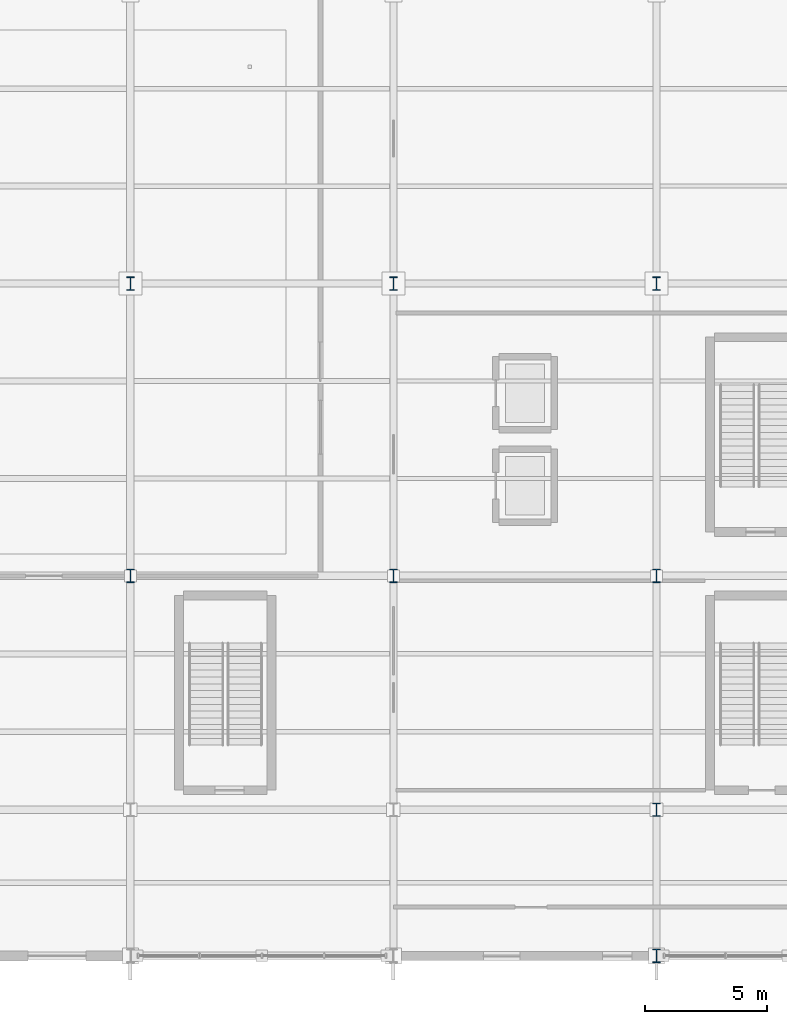
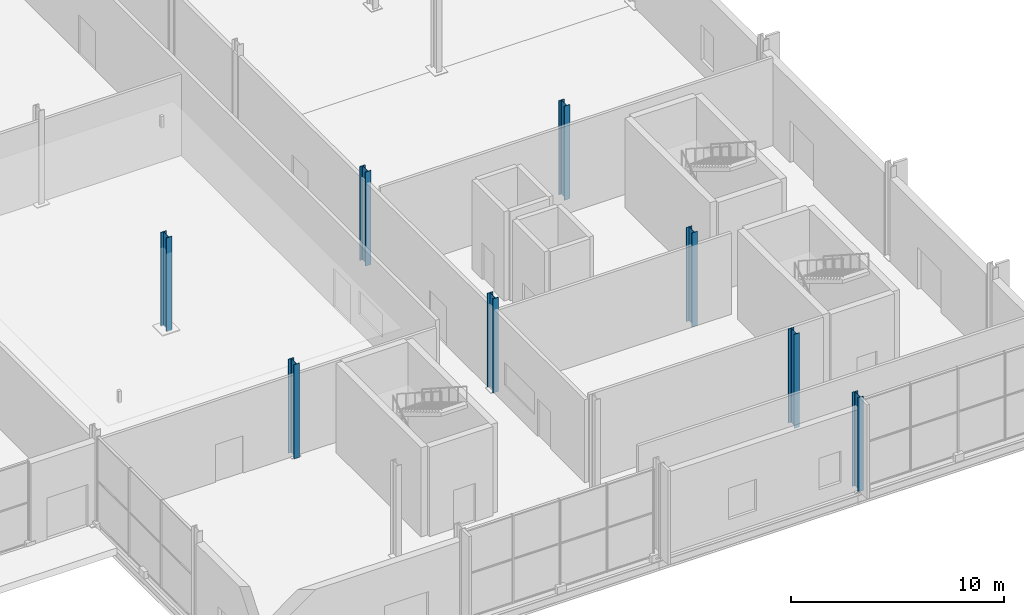
# One storey, part 18 of 196: 8 columns.
"""IFC4 building model written with IfcOpenShell, lengths in metres."""

from ifc_helpers import new_model, si_unit, direction, frame, origin, origin_2d, place, context, subcontext, project, spatial, i_section, extrude, material, material_profile, profile_set, type_object, element, save


model = new_model("IFC4")

# Units and contexts
model_context = context("Model", 3, precision=1e-05, world=origin(), true_north=direction((0.0, 1.0)))
body_context = subcontext(model_context, "Body", "Model", "MODEL_VIEW")
ifc_project = project(units=[si_unit("LENGTHUNIT", "METRE"), si_unit("AREAUNIT", "SQUARE_METRE"), si_unit("VOLUMEUNIT", "CUBIC_METRE"), si_unit("PLANEANGLEUNIT", "RADIAN"), si_unit("MASSUNIT", "GRAM", prefix="KILO")], contexts=[model_context])

# Site, building, storey
site_placement = place(None, origin())
site = spatial("IfcSite", under=ifc_project, at=site_placement, CompositionType="ELEMENT")
building_placement = place(site_placement, origin())
building = spatial("IfcBuilding", under=site, at=building_placement, Name="Merenkruunu Market Hall", CompositionType="ELEMENT")
storey_placement = place(building_placement, origin())
storey = spatial("IfcBuildingStorey", under=building, at=storey_placement, Name="L00", CompositionType="ELEMENT", Elevation=0.0)

# Columns
ifc_material = material(Name="Steel S355ML", Category="steel")
ifc_material_profile = material_profile(ifc_material, i_section(OverallWidth=0.300048828125, OverallDepth=0.550048828125, WebThickness=0.014892578125, FlangeThickness=0.029052734375, FilletRadius=0.027099609375, at=origin_2d()), Name="HEB 550")
ifc_profile_set = profile_set([ifc_material_profile], Name="Steel S355ML")
column_type = type_object("IfcColumnType", Name="Structural Column C02", PredefinedType="COLUMN", material=ifc_profile_set)
for number, where, z_axis, x_axis, name in (
    (1, (159.60009765625, 15.60009765625, 0.0), (0.0, 0.0, 1.0), (1.0, 0.0, 0.0), "COL-L00-R-03"),
    (2, (159.60009765625, 27.60009765625, 0.0), (0.0, 0.0, 1.0), (1.0, 0.0, 0.0), "COL-L00-R-04"),
    (3, (170.39990234375, 15.60009765625, 0.0), (0.0, 0.0, 1.0), (1.0, 0.0, 0.0), "COL-L00-S-03"),
    (4, (170.39990234375, 27.60009765625, 0.0), (0.0, 0.0, 1.0), (1.0, 0.0, 0.0), "COL-L00-S-04"),
    (5, (181.199951171875, 0.0, 0.0), (0.0, 0.0, 1.0), (1.0, 0.0, 0.0), "COL-L00-T-01"),
    (6, (181.199951171875, 6.0, 0.0), (0.0, 0.0, 1.0), (1.0, 0.0, 0.0), "COL-L00-T-02"),
    (7, (181.199951171875, 15.60009765625, 0.0), (0.0, 0.0, 1.0), (1.0, 0.0, 0.0), "COL-L00-T-03"),
    (8, (181.199951171875, 27.60009765625, 0.0), (0.0, 0.0, 1.0), (1.0, 0.0, 0.0), "COL-L00-T-04"),
):
    element("IfcColumn", number, at=place(storey_placement, frame(where, z_axis=z_axis, x_axis=x_axis)), inside=storey, type_object=column_type, Name=name, PredefinedType="COLUMN", context=body_context, shape_type="SweptSolid", body=[
        extrude(i_section(OverallWidth=0.300048828125, OverallDepth=0.550048828125, WebThickness=0.014892578125, FlangeThickness=0.029052734375, FilletRadius=0.027099609375, at=origin_2d()), origin(), (0.0, 0.0, 1.0), 5.39990234375),
    ])

save(model, "model.ifc")
